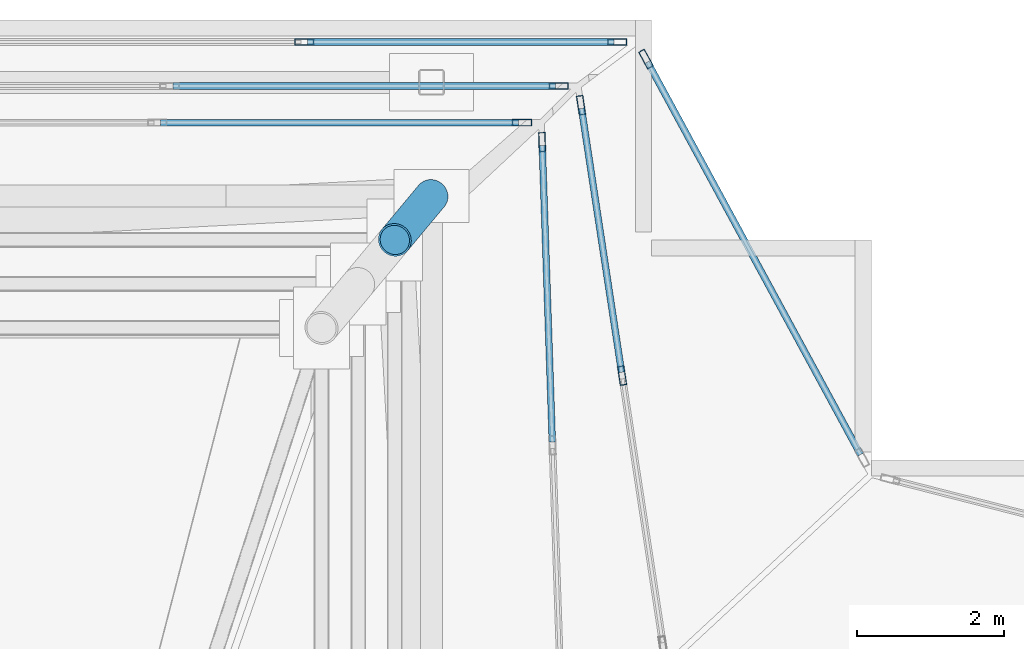
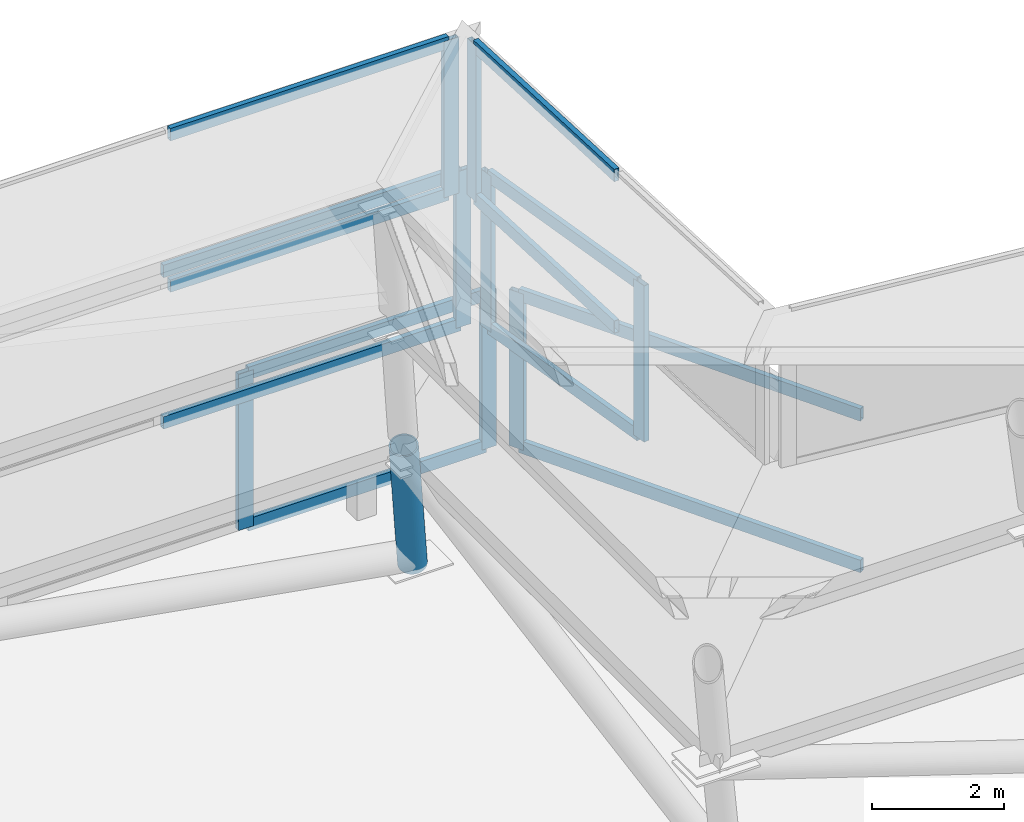
# One storey, part 10 of 15: 21 members, 6 elements without a shape of their own.
"""IFC4 building model written with IfcOpenShell, lengths in metres."""

from ifc_helpers import new_model, si_unit, direction, frame, origin, origin_2d, place, context, subcontext, project, spatial, hollow_rectangle, hollow_circle, extrude, material, layer, layer_set, material_profile, profile_set, type_object, element, aggregate, save


model = new_model("IFC4")

# Units and contexts
model_context = context("Model", 3, precision=1e-05, world=origin(), true_north=direction((0.0, 1.0)))
body_context = subcontext(model_context, "Body", "Model", "MODEL_VIEW")
ifc_project = project(units=[si_unit("LENGTHUNIT", "METRE"), si_unit("AREAUNIT", "SQUARE_METRE"), si_unit("VOLUMEUNIT", "CUBIC_METRE"), si_unit("PLANEANGLEUNIT", "RADIAN"), si_unit("MASSUNIT", "GRAM", prefix="KILO"), si_unit("THERMODYNAMICTEMPERATUREUNIT", "KELVIN"), si_unit("POWERUNIT", "WATT")], contexts=[model_context])

# Site, building, storey
site_placement = place(None, origin())
site = spatial("IfcSite", under=ifc_project, at=site_placement, CompositionType="ELEMENT")
building_placement = place(site_placement, origin())
building = spatial("IfcBuilding", under=site, at=building_placement, Name="Svarakhadi Broadcast Tower", CompositionType="ELEMENT")
storey_placement = place(building_placement, frame((0.0, 0.0, 310.5)))
storey = spatial("IfcBuildingStorey", under=building, at=storey_placement, Name="RF", CompositionType="ELEMENT", Elevation=310.5)

# Curtain wall, member
ifc_material_1 = material(Name="Anodised Bronze Aluminium AA 6063-T6", Category="aluminium")
ifc_layer = layer(ifc_material_1, 0.260009765625)
ifc_layer_set = layer_set([ifc_layer], Name="Anodised Bronze Aluminium AA 6063-T6")
curtain_wall_type = type_object("IfcCurtainWallType", Name="CW_Sys_07", PredefinedType="NOTDEFINED", material=ifc_layer_set)
curtain_wall_1_placement = place(storey_placement, origin())
curtain_wall_1 = element("IfcCurtainWall", 1, at=curtain_wall_1_placement, inside=storey, type_object=curtain_wall_type, Name="Crown Tier 1 Faceted Curtain Wall 5", PredefinedType="NOTDEFINED")
ifc_material_profile_1 = material_profile(ifc_material_1, hollow_rectangle(XDim=0.090087890625, YDim=0.260009765625, WallThickness=0.005615234375, at=origin_2d()), Name="ALU MULLION 260x90x6")
ifc_profile_set_1 = profile_set([ifc_material_profile_1], Name="Anodised Bronze Aluminium AA 6063-T6")
member_type_1 = type_object("IfcMemberType", Name="CW_Sys_07_Mul", PredefinedType="MULLION", material=ifc_profile_set_1)
member_1_placement = place(storey_placement, frame((20.92626953125, 29.467041015625, 0.0), z_axis=(0.0, 0.0, 1.0), x_axis=(-0.879032535221, -0.476761787503, 0.0)))
member_1 = element("IfcMember", 2, at=member_1_placement, type_object=member_type_1, Name="CW-07 mullion 2", PredefinedType="MULLION", context=body_context, shape_type="SweptSolid", body=[
    extrude(hollow_rectangle(XDim=0.090087890625, YDim=0.260009765625, WallThickness=0.005615234375, at=origin_2d()), origin(), (0.0, 0.0, 1.0), 2.89990234375),
])

# Curtain wall, members
curtain_wall_2_placement = place(storey_placement, origin())
curtain_wall_2 = element("IfcCurtainWall", 3, at=curtain_wall_2_placement, inside=storey, type_object=curtain_wall_type, Name="Crown Tier 1 Faceted Curtain Wall 6", PredefinedType="NOTDEFINED")
member_2_placement = place(storey_placement, frame((20.534912109375, 29.699951171875, 0.0), z_axis=(0.0, 0.0, 1.0), x_axis=(0.0, -1.0, 0.0)))
member_2 = element("IfcMember", 4, at=member_2_placement, type_object=member_type_1, Name="CW-07 mullion 1", PredefinedType="MULLION", context=body_context, shape_type="SweptSolid", body=[
    extrude(hollow_rectangle(XDim=0.090087890625, YDim=0.260009765625, WallThickness=0.005615234375, at=origin_2d()), origin(), (0.0, 0.0, 1.0), 2.89990234375),
])
member_3_placement = place(storey_placement, frame((16.264892578125, 29.699951171875, 0.0), z_axis=(0.0, 0.0, 1.0), x_axis=(0.0, -1.0, 0.0)))
member_3 = element("IfcMember", 5, at=member_3_placement, type_object=member_type_1, Name="CW-07 mullion 2", PredefinedType="MULLION", context=body_context, shape_type="SweptSolid", body=[
    extrude(hollow_rectangle(XDim=0.090087890625, YDim=0.260009765625, WallThickness=0.005615234375, at=origin_2d()), origin(), (0.0, 0.0, 1.0), 2.89990234375),
])

curtain_wall_3_placement = place(storey_placement, origin())
curtain_wall_3 = element("IfcCurtainWall", 6, at=curtain_wall_3_placement, inside=storey, type_object=curtain_wall_type, Name="Crown Tier 2 Faceted Curtain Wall 5", PredefinedType="NOTDEFINED")
member_4_placement = place(storey_placement, frame((20.60009765625, 25.14990234375, 2.89990234375), z_axis=(0.0, 0.0, 1.0), x_axis=(-0.988657771243, -0.150185922647, 0.0)))
member_4 = element("IfcMember", 7, at=member_4_placement, type_object=member_type_1, Name="CW-07 mullion 2", PredefinedType="MULLION", context=body_context, shape_type="SweptSolid", body=[
    extrude(hollow_rectangle(XDim=0.090087890625, YDim=0.260009765625, WallThickness=0.005615234375, at=origin_2d()), origin(), (0.0, 0.0, 1.0), 2.900146484375),
])
member_5_placement = place(storey_placement, frame((20.039794921875, 28.837890625, 2.89990234375), z_axis=(0.0, 0.0, 1.0), x_axis=(-0.988657771243, -0.150185922647, 0.0)))
member_5 = element("IfcMember", 8, at=member_5_placement, type_object=member_type_1, Name="CW-07 mullion 3", PredefinedType="MULLION", context=body_context, shape_type="SweptSolid", body=[
    extrude(hollow_rectangle(XDim=0.090087890625, YDim=0.260009765625, WallThickness=0.005615234375, at=origin_2d()), origin(), (0.0, 0.0, 1.0), 2.900146484375),
])

# Curtain wall, member
curtain_wall_4_placement = place(storey_placement, origin())
curtain_wall_4 = element("IfcCurtainWall", 9, at=curtain_wall_4_placement, inside=storey, type_object=curtain_wall_type, Name="Crown Tier 2 Faceted Curtain Wall 6", PredefinedType="NOTDEFINED")
member_6_placement = place(storey_placement, frame((19.735107421875, 29.10009765625, 2.89990234375), z_axis=(0.0, 0.0, 1.0), x_axis=(0.0, -1.0, 0.0)))
member_6 = element("IfcMember", 10, at=member_6_placement, type_object=member_type_1, Name="CW-07 mullion 1", PredefinedType="MULLION", context=body_context, shape_type="SweptSolid", body=[
    extrude(hollow_rectangle(XDim=0.090087890625, YDim=0.260009765625, WallThickness=0.005615234375, at=origin_2d()), origin(), (0.0, 0.0, 1.0), 2.900146484375),
])

curtain_wall_5_placement = place(storey_placement, origin())
curtain_wall_5 = element("IfcCurtainWall", 11, at=curtain_wall_5_placement, inside=storey, type_object=curtain_wall_type, Name="Crown Tier 3 Faceted Curtain Wall 5", PredefinedType="NOTDEFINED")
member_7_placement = place(storey_placement, frame((19.509033203125, 28.335205078125, 5.800048828125), z_axis=(0.0, 0.0, 1.0), x_axis=(-0.99941943873, -0.034070302152, 0.0)))
member_7 = element("IfcMember", 12, at=member_7_placement, type_object=member_type_1, Name="CW-07 mullion 3", PredefinedType="MULLION", context=body_context, shape_type="SweptSolid", body=[
    extrude(hollow_rectangle(XDim=0.090087890625, YDim=0.260009765625, WallThickness=0.005615234375, at=origin_2d()), origin(), (0.0, 0.0, 1.0), 2.89990234375),
])

curtain_wall_6_placement = place(storey_placement, origin())
curtain_wall_6 = element("IfcCurtainWall", 13, at=curtain_wall_6_placement, inside=storey, type_object=curtain_wall_type, Name="Crown Tier 3 Faceted Curtain Wall 6", PredefinedType="NOTDEFINED")
member_8_placement = place(storey_placement, frame((19.235107421875, 28.60009765625, 5.800048828125), z_axis=(0.0, 0.0, 1.0), x_axis=(0.0, -1.0, 0.0)))
member_8 = element("IfcMember", 14, at=member_8_placement, type_object=member_type_1, Name="CW-07 mullion 1", PredefinedType="MULLION", context=body_context, shape_type="SweptSolid", body=[
    extrude(hollow_rectangle(XDim=0.090087890625, YDim=0.260009765625, WallThickness=0.005615234375, at=origin_2d()), origin(), (0.0, 0.0, 1.0), 2.89990234375),
])

# Member
ifc_material_profile_2 = material_profile(ifc_material_1, hollow_rectangle(XDim=0.090087890625, YDim=0.22998046875, WallThickness=0.0048828125, at=origin_2d()), Name="ALU TRANSOM 230x90x5")
ifc_profile_set_2 = profile_set([ifc_material_profile_2], Name="Anodised Bronze Aluminium AA 6063-T6")
member_type_2 = type_object("IfcMemberType", Name="CW_Sys_07_Trn", PredefinedType="USERDEFINED", material=ifc_profile_set_2)
member_9_placement = place(storey_placement, frame((23.852294921875, 24.072509765625, 0.044921875), z_axis=(-0.476781410187, 0.879021892162, 0.0), x_axis=(-0.879021892162, -0.476781410187, 0.0)))
member_9 = element("IfcMember", 15, at=member_9_placement, type_object=member_type_2, Name="CW-07 transom 1.1", ObjectType="TRANSOM", PredefinedType="USERDEFINED", context=body_context, shape_type="SweptSolid", body=[
    extrude(hollow_rectangle(XDim=0.090087890625, YDim=0.22998046875, WallThickness=0.0048828125, at=origin_2d()), origin(), (0.0, 0.0, 1.0), 6.092041015625),
])

member_10_placement = place(storey_placement, frame((23.852294921875, 24.072509765625, 2.85498046875), z_axis=(-0.476781410187, 0.879021892162, 0.0), x_axis=(-0.879021892162, -0.476781410187, 0.0)))
member_10 = element("IfcMember", 16, at=member_10_placement, type_object=member_type_2, Name="CW-07 transom 1.2", ObjectType="TRANSOM", PredefinedType="USERDEFINED", context=body_context, shape_type="SweptSolid", body=[
    extrude(hollow_rectangle(XDim=0.090087890625, YDim=0.22998046875, WallThickness=0.0048828125, at=origin_2d()), origin(), (0.0, 0.0, 1.0), 6.092041015625),
])

aggregate(curtain_wall_1, [member_1, member_9, member_10])

member_11_placement = place(storey_placement, frame((20.489990234375, 29.699951171875, 0.044921875), z_axis=(-1.0, 0.0, 0.0), x_axis=(0.0, -1.0, 0.0)))
member_11 = element("IfcMember", 17, at=member_11_placement, type_object=member_type_2, Name="CW-07 transom 1.1", ObjectType="TRANSOM", PredefinedType="USERDEFINED", context=body_context, shape_type="SweptSolid", body=[
    extrude(hollow_rectangle(XDim=0.090087890625, YDim=0.22998046875, WallThickness=0.0048828125, at=origin_2d()), origin(), (0.0, 0.0, 1.0), 4.179931640625),
])

member_12_placement = place(storey_placement, frame((20.489990234375, 29.699951171875, 2.85498046875), z_axis=(-1.0, 0.0, 0.0), x_axis=(0.0, -1.0, 0.0)))
member_12 = element("IfcMember", 18, at=member_12_placement, type_object=member_type_2, Name="CW-07 transom 1.2", ObjectType="TRANSOM", PredefinedType="USERDEFINED", context=body_context, shape_type="SweptSolid", body=[
    extrude(hollow_rectangle(XDim=0.090087890625, YDim=0.22998046875, WallThickness=0.0048828125, at=origin_2d()), origin(), (0.0, 0.0, 1.0), 4.179931640625),
])

aggregate(curtain_wall_2, [member_2, member_3, member_11, member_12])

member_13_placement = place(storey_placement, frame((20.59326171875, 25.194580078125, 2.945068359375), z_axis=(-0.150166962764, 0.988660651232, 0.0), x_axis=(-0.988660651232, -0.150166962764, 0.0)))
member_13 = element("IfcMember", 19, at=member_13_placement, type_object=member_type_2, Name="CW-07 transom 2.1", ObjectType="TRANSOM", PredefinedType="USERDEFINED", context=body_context, shape_type="SweptSolid", body=[
    extrude(hollow_rectangle(XDim=0.090087890625, YDim=0.22998046875, WallThickness=0.0048828125, at=origin_2d()), origin(), (0.0, 0.0, 1.0), 3.64013671875),
])

member_14_placement = place(storey_placement, frame((20.59326171875, 25.194580078125, 5.7548828125), z_axis=(-0.150166962764, 0.988660651232, 0.0), x_axis=(-0.988660651232, -0.150166962764, 0.0)))
member_14 = element("IfcMember", 20, at=member_14_placement, type_object=member_type_2, Name="CW-07 transom 2.2", ObjectType="TRANSOM", PredefinedType="USERDEFINED", context=body_context, shape_type="SweptSolid", body=[
    extrude(hollow_rectangle(XDim=0.090087890625, YDim=0.22998046875, WallThickness=0.0048828125, at=origin_2d()), origin(), (0.0, 0.0, 1.0), 3.64013671875),
])

aggregate(curtain_wall_3, [member_4, member_5, member_13, member_14])

member_15_placement = place(storey_placement, frame((19.68994140625, 29.10009765625, 2.945068359375), z_axis=(-1.0, 0.0, 0.0), x_axis=(0.0, -1.0, 0.0)))
member_15 = element("IfcMember", 21, at=member_15_placement, type_object=member_type_2, Name="CW-07 transom 1.1", ObjectType="TRANSOM", PredefinedType="USERDEFINED", context=body_context, shape_type="SweptSolid", body=[
    extrude(hollow_rectangle(XDim=0.090087890625, YDim=0.22998046875, WallThickness=0.0048828125, at=origin_2d()), origin(), (0.0, 0.0, 1.0), 5.21826171875),
])

member_16_placement = place(storey_placement, frame((19.68994140625, 29.10009765625, 5.7548828125), z_axis=(-1.0, 0.0, 0.0), x_axis=(0.0, -1.0, 0.0)))
member_16 = element("IfcMember", 22, at=member_16_placement, type_object=member_type_2, Name="CW-07 transom 1.2", ObjectType="TRANSOM", PredefinedType="USERDEFINED", context=body_context, shape_type="SweptSolid", body=[
    extrude(hollow_rectangle(XDim=0.090087890625, YDim=0.22998046875, WallThickness=0.0048828125, at=origin_2d()), origin(), (0.0, 0.0, 1.0), 5.21826171875),
])

aggregate(curtain_wall_4, [member_6, member_15, member_16])

member_17_placement = place(storey_placement, frame((19.6484375, 24.244873046875, 5.844970703125), z_axis=(-0.034080016642, 0.999419107515, 0.0), x_axis=(-0.999419107515, -0.034080016642, 0.0)))
member_17 = element("IfcMember", 23, at=member_17_placement, type_object=member_type_2, Name="CW-07 transom 2.1", ObjectType="TRANSOM", PredefinedType="USERDEFINED", context=body_context, shape_type="SweptSolid", body=[
    extrude(hollow_rectangle(XDim=0.090087890625, YDim=0.22998046875, WallThickness=0.0048828125, at=origin_2d()), origin(), (0.0, 0.0, 1.0), 4.047607421875),
])

member_18_placement = place(storey_placement, frame((19.6484375, 24.244873046875, 8.655029296875), z_axis=(-0.034080016642, 0.999419107515, 0.0), x_axis=(-0.999419107515, -0.034080016642, 0.0)))
member_18 = element("IfcMember", 24, at=member_18_placement, type_object=member_type_2, Name="CW-07 transom 2.2", ObjectType="TRANSOM", PredefinedType="USERDEFINED", context=body_context, shape_type="SweptSolid", body=[
    extrude(hollow_rectangle(XDim=0.090087890625, YDim=0.22998046875, WallThickness=0.0048828125, at=origin_2d()), origin(), (0.0, 0.0, 1.0), 4.047607421875),
])

aggregate(curtain_wall_5, [member_7, member_17, member_18])

member_19_placement = place(storey_placement, frame((19.18994140625, 28.60009765625, 5.844970703125), z_axis=(-1.0, 0.0, 0.0), x_axis=(0.0, -1.0, 0.0)))
member_19 = element("IfcMember", 25, at=member_19_placement, type_object=member_type_2, Name="CW-07 transom 1.1", ObjectType="TRANSOM", PredefinedType="USERDEFINED", context=body_context, shape_type="SweptSolid", body=[
    extrude(hollow_rectangle(XDim=0.090087890625, YDim=0.22998046875, WallThickness=0.0048828125, at=origin_2d()), origin(), (0.0, 0.0, 1.0), 4.885009765625),
])

member_20_placement = place(storey_placement, frame((19.18994140625, 28.60009765625, 8.655029296875), z_axis=(-1.0, 0.0, 0.0), x_axis=(0.0, -1.0, 0.0)))
member_20 = element("IfcMember", 26, at=member_20_placement, type_object=member_type_2, Name="CW-07 transom 1.2", ObjectType="TRANSOM", PredefinedType="USERDEFINED", context=body_context, shape_type="SweptSolid", body=[
    extrude(hollow_rectangle(XDim=0.090087890625, YDim=0.22998046875, WallThickness=0.0048828125, at=origin_2d()), origin(), (0.0, 0.0, 1.0), 4.885009765625),
])

aggregate(curtain_wall_6, [member_8, member_19, member_20])

ifc_material_2 = material(Name="Steel S460ML (IS 2062 E450BR)", Category="steel")
ifc_material_profile_3 = material_profile(ifc_material_2, hollow_circle(Radius=0.228515625, WallThickness=0.02490234375, at=origin_2d()), Name="CHS 457x25")
ifc_profile_set_3 = profile_set([ifc_material_profile_3], Name="Steel S460ML (IS 2062 E450BR)")
member_type_3 = type_object("IfcMemberType", Name="Crown_Spire_CHS457", PredefinedType="BRACE", material=ifc_profile_set_3)
member_21_placement = place(storey_placement, frame((18.0, 27.60009765625, 0.0), z_axis=(-0.176684425818, -0.212055819659, 0.961152923848), x_axis=(0.768272516483, -0.640122910398, 0.0)))
element("IfcMember", 27, at=member_21_placement, inside=storey, type_object=member_type_3, Name="Crown Structural Spire Frame Chord SL-01-06", PredefinedType="BRACE", context=body_context, shape_type="SweptSolid", body=[
    extrude(hollow_circle(Radius=0.228515625, WallThickness=0.02490234375, at=origin_2d()), origin(), (0.0, 0.0, 1.0), 2.829833984375),
])

save(model, "model.ifc")
